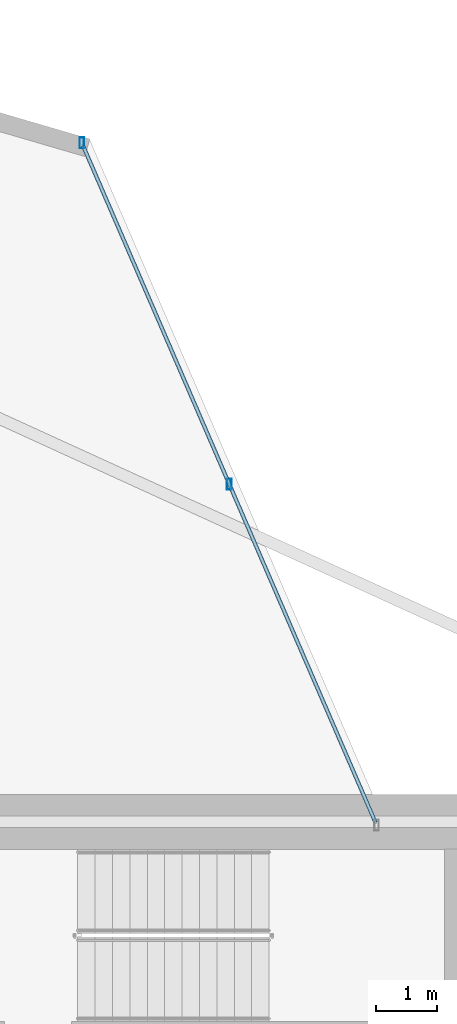
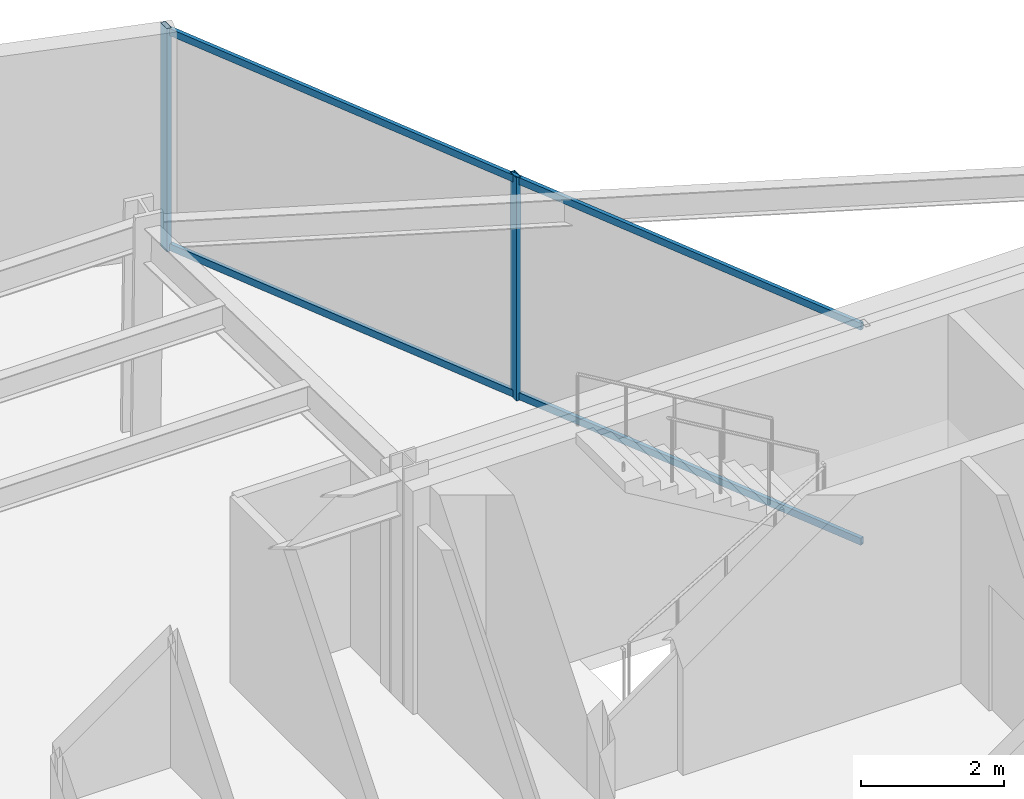
# One storey, part 18 of 26: 4 members, 1 element without a shape of its own.
"""IFC4 building model written with IfcOpenShell, lengths in metres."""

from ifc_helpers import new_model, si_unit, direction, frame, origin, origin_2d, place, context, subcontext, project, spatial, hollow_rectangle, extrude, material, layer, layer_set, material_profile, profile_set, type_object, element, aggregate, save


model = new_model("IFC4")

# Units and contexts
model_context = context("Model", 3, precision=1e-05, world=origin(), true_north=direction((0.0, 1.0)))
body_context = subcontext(model_context, "Body", "Model", "MODEL_VIEW")
ifc_project = project(units=[si_unit("LENGTHUNIT", "METRE"), si_unit("AREAUNIT", "SQUARE_METRE"), si_unit("VOLUMEUNIT", "CUBIC_METRE"), si_unit("PLANEANGLEUNIT", "RADIAN"), si_unit("MASSUNIT", "GRAM", prefix="KILO")], contexts=[model_context])

# Site, building, storey
site_placement = place(None, origin())
site = spatial("IfcSite", under=ifc_project, at=site_placement, CompositionType="ELEMENT")
building_placement = place(site_placement, origin())
building = spatial("IfcBuilding", under=site, at=building_placement, Name="Veymaron Broadcast Tower", CompositionType="ELEMENT")
storey_placement = place(building_placement, frame((0.0, 0.0, 90.449951171875)))
storey = spatial("IfcBuildingStorey", under=building, at=storey_placement, Name="L20", CompositionType="ELEMENT", Elevation=90.449951171875)

# Curtain wall, members
ifc_material_1 = material(Name="Anodised aluminium AA 6063-T6 and laminated low-E dark glass", Category="aluminium")
ifc_layer = layer(ifc_material_1, 0.179931640625)
ifc_layer_set = layer_set([ifc_layer], Name="Anodised aluminium AA 6063-T6 and laminated low-E dark glass")
curtain_wall_type = type_object("IfcCurtainWallType", Name="CW-SYS-02", PredefinedType="NOTDEFINED", material=ifc_layer_set)
curtain_wall_placement = place(storey_placement, origin())
curtain_wall = element("IfcCurtainWall", 1, at=curtain_wall_placement, inside=storey, type_object=curtain_wall_type, Name="L20 dark-glass curtain wall CW-L20-E6-1", PredefinedType="NOTDEFINED")
ifc_material_2 = material(Name="Anodised aluminium AA 6063-T6", Category="aluminium")
ifc_material_profile_1 = material_profile(ifc_material_2, hollow_rectangle(XDim=0.074951171875, YDim=0.179931640625, WallThickness=0.0048828125, at=origin_2d()), Name="AL180X75X5")
ifc_profile_set_1 = profile_set([ifc_material_profile_1], Name="Anodised aluminium AA 6063-T6")
member_type_1 = type_object("IfcMemberType", Name="CW-MUL-02", PredefinedType="MULLION", material=ifc_profile_set_1)
member_1_placement = place(storey_placement, frame((43.91162109375, 37.531494140625, 0.0), z_axis=(0.0, 0.0, 1.0), x_axis=(1.0, 0.0, 0.0)))
member_1 = element("IfcMember", 2, at=member_1_placement, type_object=member_type_1, Name="CW-L20-E6-1 mullion 1", PredefinedType="MULLION", context=body_context, shape_type="SweptSolid", body=[
    extrude(hollow_rectangle(XDim=0.074951171875, YDim=0.179931640625, WallThickness=0.0048828125, at=origin_2d()), origin(), (0.0, 0.0, 1.0), 3.81005859375),
])
member_2_placement = place(storey_placement, frame((41.497314453125, 43.118408203125, 0.0), z_axis=(0.0, 0.0, 1.0), x_axis=(1.0, 0.0, 0.0)))
member_2 = element("IfcMember", 3, at=member_2_placement, type_object=member_type_1, Name="CW-L20-E6-1 mullion 2", PredefinedType="MULLION", context=body_context, shape_type="SweptSolid", body=[
    extrude(hollow_rectangle(XDim=0.074951171875, YDim=0.179931640625, WallThickness=0.0048828125, at=origin_2d()), origin(), (0.0, 0.0, 1.0), 3.81005859375),
])
ifc_material_profile_2 = material_profile(ifc_material_2, hollow_rectangle(XDim=0.06005859375, YDim=0.1201171875, WallThickness=0.00390625, at=origin_2d()), Name="AL120X60X4")
ifc_profile_set_2 = profile_set([ifc_material_profile_2], Name="Anodised aluminium AA 6063-T6")
member_type_2 = type_object("IfcMemberType", Name="CW-TRN-02", PredefinedType="USERDEFINED", material=ifc_profile_set_2)
member_3_placement = place(storey_placement, frame((46.305908203125, 31.990478515625, 0.070068359375), z_axis=(-0.396673079042, 0.917959949215, 0.0), x_axis=(-0.917959949215, -0.396673079042, 0.0)))
member_3 = element("IfcMember", 4, at=member_3_placement, type_object=member_type_2, Name="CW-L20-E6-1 transom B", ObjectType="TRANSOM", PredefinedType="USERDEFINED", context=body_context, shape_type="SweptSolid", body=[
    extrude(hollow_rectangle(XDim=0.06005859375, YDim=0.1201171875, WallThickness=0.00390625, at=origin_2d()), origin(), (0.0, 0.0, 1.0), 12.072509765625),
])
member_4_placement = place(storey_placement, frame((46.305908203125, 31.990478515625, 3.739990234375), z_axis=(-0.396673079042, 0.917959949215, 0.0), x_axis=(-0.917959949215, -0.396673079042, 0.0)))
member_4 = element("IfcMember", 5, at=member_4_placement, type_object=member_type_2, Name="CW-L20-E6-1 transom T", ObjectType="TRANSOM", PredefinedType="USERDEFINED", context=body_context, shape_type="SweptSolid", body=[
    extrude(hollow_rectangle(XDim=0.06005859375, YDim=0.1201171875, WallThickness=0.00390625, at=origin_2d()), origin(), (0.0, 0.0, 1.0), 12.072509765625),
])
aggregate(curtain_wall, [member_1, member_2, member_3, member_4])

save(model, "model.ifc")
